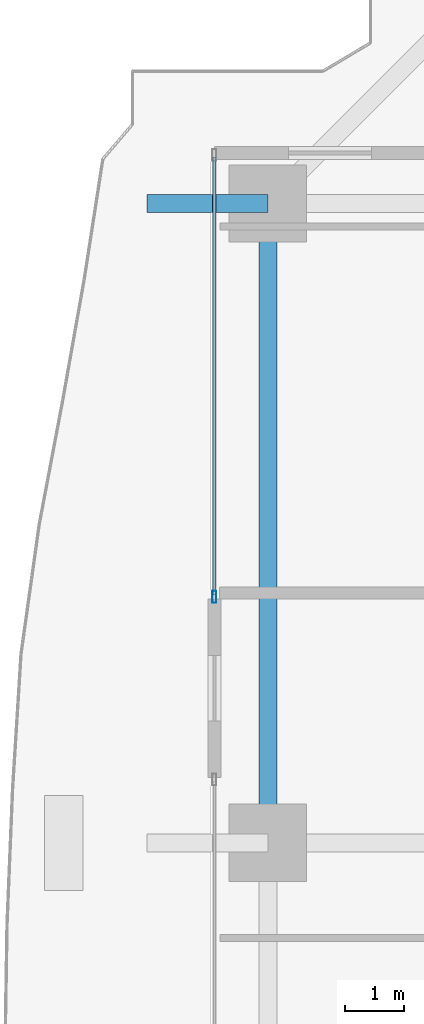
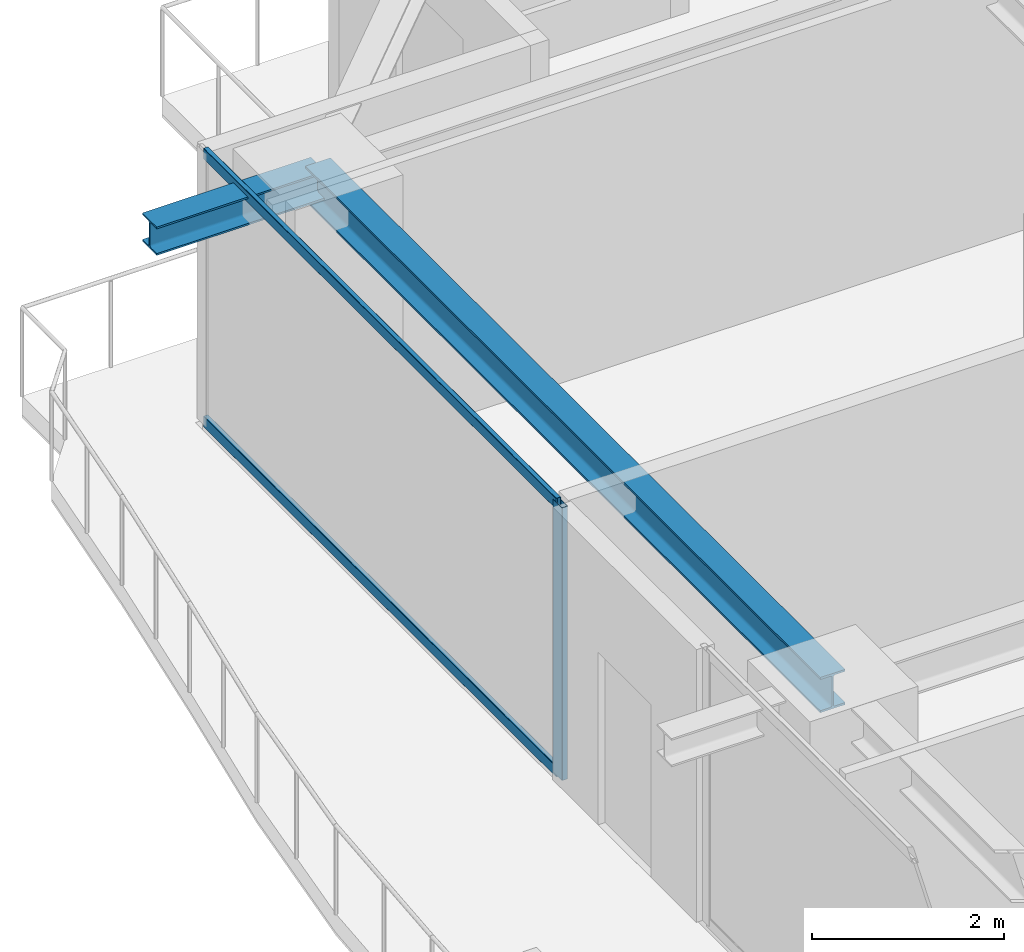
# One storey, part 17 of 37: 3 members, 2 beams, 1 element without a shape of its own.
"""IFC4 building model written with IfcOpenShell, lengths in metres."""

from ifc_helpers import new_model, si_unit, direction, frame, origin, origin_2d, place, context, subcontext, project, spatial, hollow_rectangle, i_section, extrude, source, transform, mapped, material, layer, layer_set, material_profile, profile_set, type_object, element, aggregate, save


model = new_model("IFC4")

# Units and contexts
model_context = context("Model", 3, precision=1e-05, world=origin(), true_north=direction((0.0, 1.0)))
body_context = subcontext(model_context, "Body", "Model", "MODEL_VIEW")
ifc_project = project(units=[si_unit("LENGTHUNIT", "METRE"), si_unit("AREAUNIT", "SQUARE_METRE"), si_unit("VOLUMEUNIT", "CUBIC_METRE"), si_unit("PLANEANGLEUNIT", "RADIAN"), si_unit("MASSUNIT", "GRAM", prefix="KILO")], contexts=[model_context])

# Site, building, storey
site_placement = place(None, origin())
site = spatial("IfcSite", under=ifc_project, at=site_placement, CompositionType="ELEMENT")
building_placement = place(site_placement, origin())
building = spatial("IfcBuilding", under=site, at=building_placement, Name="Serunith Strait Residences", CompositionType="ELEMENT")
storey_placement = place(building_placement, frame((0.0, 0.0, 127.64990234375)))
storey = spatial("IfcBuildingStorey", under=building, at=storey_placement, Name="L31", CompositionType="ELEMENT", Elevation=127.64990234375)

# Beams
ifc_material_1 = material(Name="Steel S355J2", Category="steel")
ifc_material_profile_1 = material_profile(ifc_material_1, i_section(OverallWidth=0.300048828125, OverallDepth=0.449951171875, WebThickness=0.013916015625, FlangeThickness=0.02587890625, FilletRadius=0.027099609375, at=origin_2d()), Name="HEB 450")
ifc_profile_set_1 = profile_set([ifc_material_profile_1], Name="Steel S355J2")
beam_type_1 = type_object("IfcBeamType", Name="BM-HEB450", PredefinedType="BEAM", material=ifc_profile_set_1)
shared_shape_1 = source(origin(), body_context, "Body", "SweptSolid", [
    extrude(i_section(OverallWidth=0.300048828125, OverallDepth=0.449951171875, WebThickness=0.013916015625, FlangeThickness=0.02587890625, FilletRadius=0.027099609375, at=origin_2d()), origin(), (0.0, 0.0, 1.0), 10.75),
])
beam_1_placement = place(storey_placement, frame((8.699951171875, 40.14990234375, 3.26220703125), z_axis=(0.0, -1.0, 0.0), x_axis=(1.0, 0.0, 0.0)))
element("IfcBeam", 1, at=beam_1_placement, inside=storey, type_object=beam_type_1, Name="L31 Perimeter Ring Beam 13", PredefinedType="BEAM", context=body_context, shape_type="MappedRepresentation", body=[
    mapped(shared_shape_1, transform((0.0, 0.0, 0.0), scale=1.0)),
])
ifc_material_profile_2 = material_profile(ifc_material_1, i_section(OverallWidth=0.300048828125, OverallDepth=0.360107421875, WebThickness=0.012451171875, FlangeThickness=0.0224609375, FilletRadius=0.027099609375, at=origin_2d()), Name="HEB 360")
ifc_profile_set_2 = profile_set([ifc_material_profile_2], Name="Steel S355J2")
beam_type_2 = type_object("IfcBeamType", Name="BM-HEB360", PredefinedType="BEAM", material=ifc_profile_set_2)
shared_shape_2 = source(origin(), body_context, "Body", "SweptSolid", [
    extrude(i_section(OverallWidth=0.300048828125, OverallDepth=0.360107421875, WebThickness=0.012451171875, FlangeThickness=0.0224609375, FilletRadius=0.027099609375, at=origin_2d()), origin(), (0.0, 0.0, 1.0), 2.030029296875),
])
beam_2_placement = place(storey_placement, frame((8.699951171875, 40.14990234375, 3.277099609375), z_axis=(-1.0, 0.0, 0.0), x_axis=(0.0, -1.0, 0.0)))
element("IfcBeam", 2, at=beam_2_placement, inside=storey, type_object=beam_type_2, Name="L32 Cantilevered Balcony Rib TC-W4", PredefinedType="BEAM", context=body_context, shape_type="MappedRepresentation", body=[
    mapped(shared_shape_2, transform((0.0, 0.0, 0.0), scale=1.0)),
])

# Curtain wall, members
ifc_material_2 = material(Name="Pale-Champagne Anodised Aluminium", Category="aluminium")
ifc_layer = layer(ifc_material_2, 0.199951171875, Name="Pale-Champagne Anodised Aluminium")
ifc_layer_set = layer_set([ifc_layer], Name="Pale-Champagne Anodised Aluminium")
curtain_wall_type = type_object("IfcCurtainWallType", Name="CW-SYS2", PredefinedType="NOTDEFINED", material=ifc_layer_set)
curtain_wall_placement = place(storey_placement, origin())
curtain_wall = element("IfcCurtainWall", 3, at=curtain_wall_placement, inside=storey, type_object=curtain_wall_type, Name="L31 W Unitised Fritted Curtain Wall", PredefinedType="NOTDEFINED")
ifc_material_profile_3 = material_profile(ifc_material_2, hollow_rectangle(XDim=0.070068359375, YDim=0.199951171875, WallThickness=0.00390625, InnerFilletRadius=0.006103515625, OuterFilletRadius=0.010009765625, at=origin_2d()), Name="ALU 200x70x4")
ifc_profile_set_3 = profile_set([ifc_material_profile_3], Name="Pale-Champagne Anodised Aluminium")
member_type_1 = type_object("IfcMemberType", Name="CW-SYS2-MULL", PredefinedType="MULLION", material=ifc_profile_set_3)
shared_shape_3 = source(origin(), body_context, "Body", "SweptSolid", [
    extrude(hollow_rectangle(XDim=0.070068359375, YDim=0.199951171875, WallThickness=0.00390625, InnerFilletRadius=0.006103515625, OuterFilletRadius=0.010009765625, at=origin_2d()), origin(), (0.0, 0.0, 1.0), 3.47509765625),
])
member_1_placement = place(storey_placement, frame((7.800048828125, 33.534912109375, 0.0), z_axis=(0.0, 0.0, 1.0), x_axis=(1.0, 0.0, 0.0)))
member_1 = element("IfcMember", 4, at=member_1_placement, type_object=member_type_1, Name="CW-2 mullion 2", PredefinedType="MULLION", context=body_context, shape_type="MappedRepresentation", body=[
    mapped(shared_shape_3, transform((0.0, 0.0, 0.0), scale=1.0)),
])
ifc_material_profile_4 = material_profile(ifc_material_2, hollow_rectangle(XDim=0.06005859375, YDim=0.139892578125, WallThickness=0.00341796875, InnerFilletRadius=0.00537109375, OuterFilletRadius=0.0087890625, at=origin_2d()), Name="ALU 140x60x3.5")
ifc_profile_set_4 = profile_set([ifc_material_profile_4], Name="Pale-Champagne Anodised Aluminium")
member_type_2 = type_object("IfcMemberType", Name="CW-SYS2-TRAN", PredefinedType="USERDEFINED", material=ifc_profile_set_4)
shared_shape_4 = source(origin(), body_context, "Body", "SweptSolid", [
    extrude(hollow_rectangle(XDim=0.06005859375, YDim=0.139892578125, WallThickness=0.00341796875, InnerFilletRadius=0.00537109375, OuterFilletRadius=0.0087890625, at=origin_2d()), origin(), (0.0, 0.0, 1.0), 7.35986328125),
])
member_2_placement = place(storey_placement, frame((7.800048828125, 40.929931640625, 0.030029296875), z_axis=(0.0, -1.0, 0.0), x_axis=(1.0, 0.0, 0.0)))
member_2 = element("IfcMember", 5, at=member_2_placement, type_object=member_type_2, Name="CW-2 transom 1.1", ObjectType="TRANSOM", PredefinedType="USERDEFINED", context=body_context, shape_type="MappedRepresentation", body=[
    mapped(shared_shape_4, transform((0.0, 0.0, 0.0), scale=1.0)),
])
member_3_placement = place(storey_placement, frame((7.800048828125, 40.929931640625, 3.445068359375), z_axis=(0.0, -1.0, 0.0), x_axis=(1.0, 0.0, 0.0)))
member_3 = element("IfcMember", 6, at=member_3_placement, type_object=member_type_2, Name="CW-2 transom 1.2", ObjectType="TRANSOM", PredefinedType="USERDEFINED", context=body_context, shape_type="MappedRepresentation", body=[
    mapped(shared_shape_4, transform((0.0, 0.0, 0.0), scale=1.0)),
])
aggregate(curtain_wall, [member_1, member_2, member_3])

save(model, "model.ifc")
